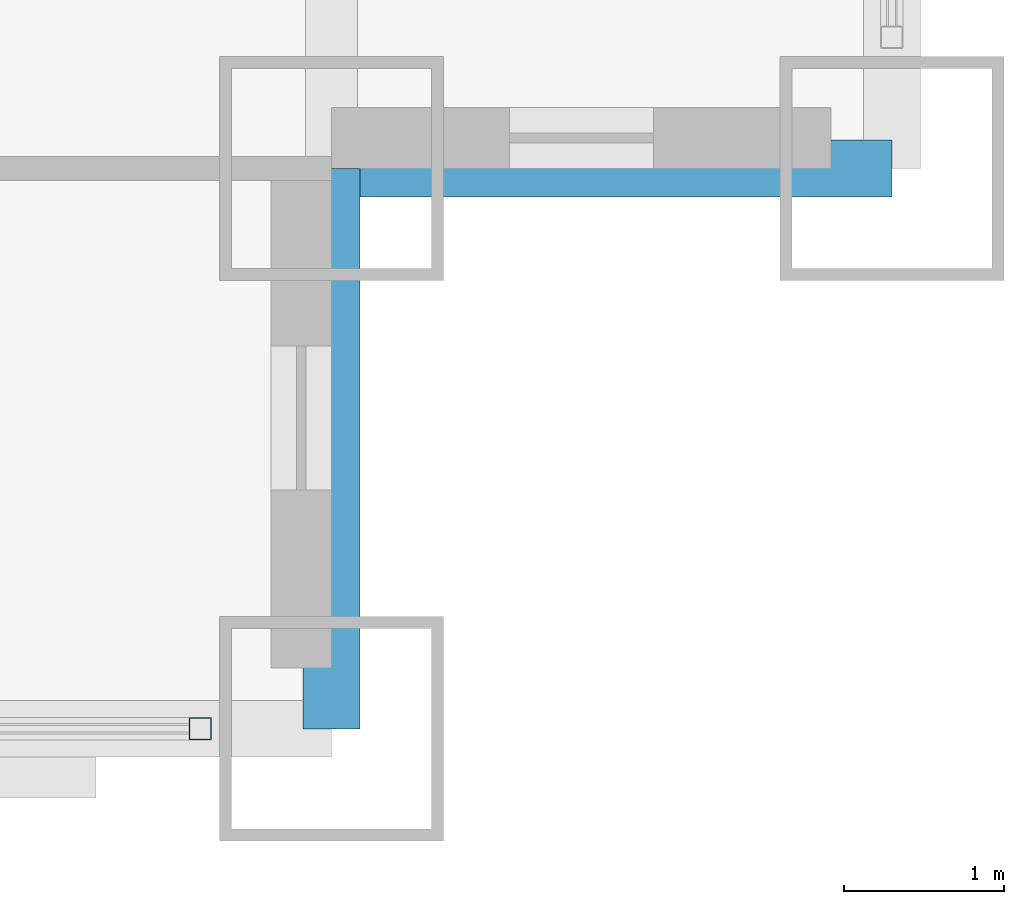
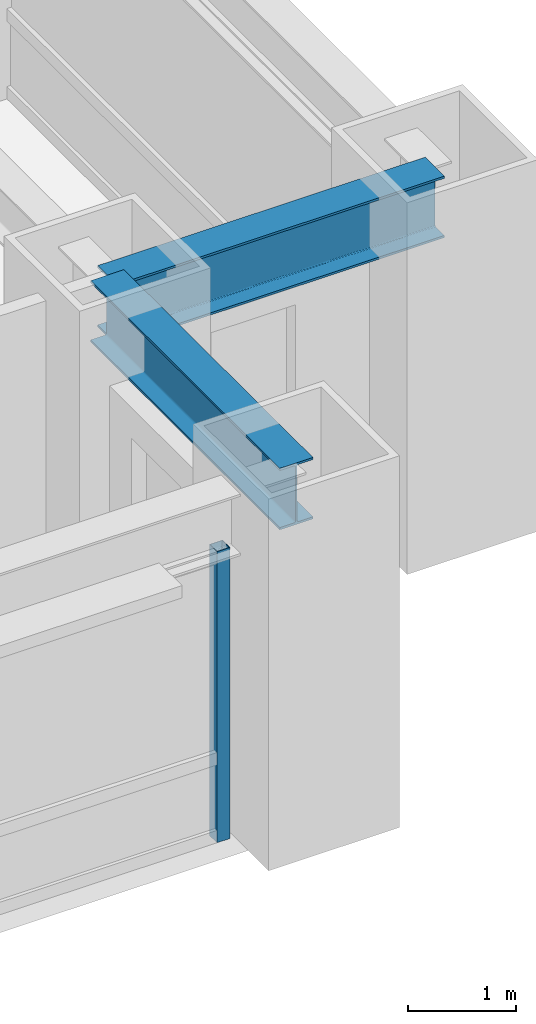
# One storey, part 10 of 31: 2 beams, 1 member, 1 element without a shape of its own.
"""IFC4 building model written with IfcOpenShell, lengths in metres."""

from ifc_helpers import new_model, si_unit, direction, frame, origin, origin_2d, place, context, subcontext, project, spatial, hollow_rectangle, i_section, extrude, source, transform, mapped, material, material_profile, profile_set, type_object, element, aggregate, save


model = new_model("IFC4")

# Units and contexts
model_context = context("Model", 3, precision=1e-05, world=origin(), true_north=direction((0.0, 1.0)))
body_context = subcontext(model_context, "Body", "Model", "MODEL_VIEW")
ifc_project = project(units=[si_unit("LENGTHUNIT", "METRE"), si_unit("AREAUNIT", "SQUARE_METRE"), si_unit("VOLUMEUNIT", "CUBIC_METRE"), si_unit("PLANEANGLEUNIT", "RADIAN"), si_unit("MASSUNIT", "GRAM", prefix="KILO")], contexts=[model_context])

# Site, building, storey
site_placement = place(None, origin())
site = spatial("IfcSite", under=ifc_project, at=site_placement, CompositionType="ELEMENT")
building_placement = place(site_placement, origin())
building = spatial("IfcBuilding", under=site, at=building_placement, Name="Khorayat Bourse Tower", CompositionType="ELEMENT")
storey_placement = place(building_placement, frame((0.0, 0.0, 32.60009765625)))
storey = spatial("IfcBuildingStorey", under=building, at=storey_placement, Name="L06", CompositionType="ELEMENT", Elevation=32.60009765625)

# Beams
ifc_material_1 = material(Name="Steel ASTM A992 Grade 50", Category="steel")
ifc_material_profile_1 = material_profile(ifc_material_1, i_section(OverallWidth=0.35498046875, OverallDepth=0.695068359375, WebThickness=0.015380859375, FlangeThickness=0.02490234375, FilletRadius=0.01806640625, at=origin_2d()), Name="W690X217")
ifc_profile_set_1 = profile_set([ifc_material_profile_1], Name="Steel ASTM A992 Grade 50")
beam_type = type_object("IfcBeamType", Name="BM-SPAN-690", PredefinedType="SPANDREL", material=ifc_profile_set_1)
shared_shape_1 = source(origin(), body_context, "Body", "SweptSolid", [
    extrude(i_section(OverallWidth=0.35498046875, OverallDepth=0.695068359375, WebThickness=0.015380859375, FlangeThickness=0.02490234375, FilletRadius=0.01806640625, at=origin_2d()), origin(), (0.0, 0.0, 1.0), 3.5),
])
for number, where, z_axis, x_axis, name in (
    (1, (28.5, -32.0, 3.59228515625), (0.0, 1.0, 0.0), (-1.0, 0.0, 0.0), "L06 BM-SPAN-690 BM-L06-SPN-032"),
    (2, (28.5, -28.5, 3.59228515625), (1.0, 0.0, 0.0), (0.0, 1.0, 0.0), "L06 BM-SPAN-690 BM-L06-SPN-033"),
):
    element("IfcBeam", number, at=place(storey_placement, frame(where, z_axis=z_axis, x_axis=x_axis)), inside=storey, type_object=beam_type, Name=name, PredefinedType="SPANDREL", context=body_context, shape_type="MappedRepresentation", body=[
        mapped(shared_shape_1, transform((0.0, 0.0, 0.0), scale=1.0)),
    ])

# Curtain wall, member
ifc_material_2 = material(Name="Aluminium EN AW-6063 T6", Category="aluminium")
curtain_wall_type = type_object("IfcCurtainWallType", Name="CW-SYS-02", PredefinedType="NOTDEFINED", material=ifc_material_2)
curtain_wall_placement = place(storey_placement, origin())
curtain_wall = element("IfcCurtainWall", 3, at=curtain_wall_placement, inside=storey, type_object=curtain_wall_type, Name="L06 Curtain Wall CW-L06-S1", PredefinedType="NOTDEFINED")
ifc_material_profile_2 = material_profile(ifc_material_2, hollow_rectangle(XDim=0.139892578125, YDim=0.139892578125, WallThickness=0.006103515625, at=origin_2d()), Name="ALU 140x140x6")
ifc_profile_set_2 = profile_set([ifc_material_profile_2], Name="Aluminium EN AW-6063 T6")
member_type = type_object("IfcMemberType", Name="CWM-VERT-140", PredefinedType="MULLION", material=ifc_profile_set_2)
shared_shape_2 = source(origin(), body_context, "Body", "SweptSolid", [
    extrude(hollow_rectangle(XDim=0.139892578125, YDim=0.139892578125, WallThickness=0.006103515625, at=origin_2d()), origin(), (0.0, 0.0, 1.0), 3.289794921875),
])
member_placement = place(storey_placement, frame((27.679931640625, -32.0, 0.0), z_axis=(0.0, 0.0, 1.0), x_axis=(0.0, 1.0, 0.0)))
member = element("IfcMember", 4, at=member_placement, type_object=member_type, Name="CW-L06-S1 Vertical Mullion 4", PredefinedType="MULLION", context=body_context, shape_type="MappedRepresentation", body=[
    mapped(shared_shape_2, transform((0.0, 0.0, 0.0), scale=1.0)),
])
aggregate(curtain_wall, [member])

save(model, "model.ifc")
